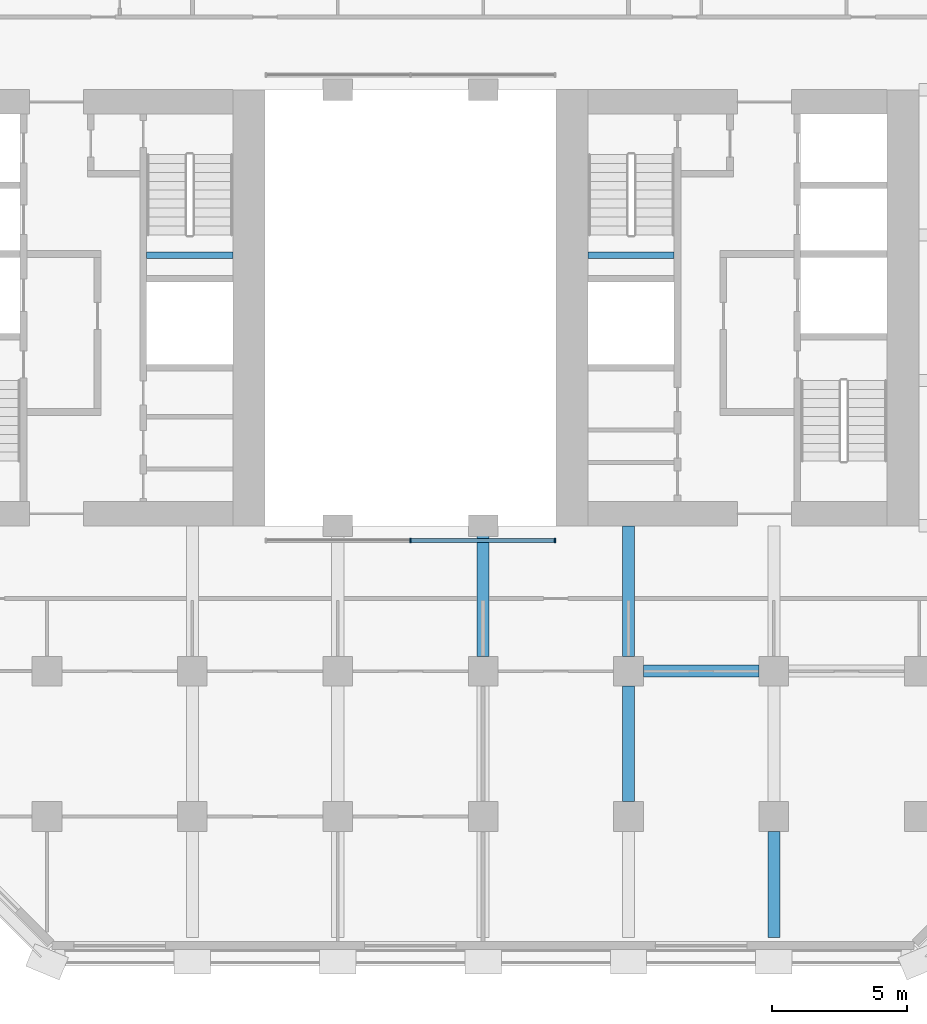
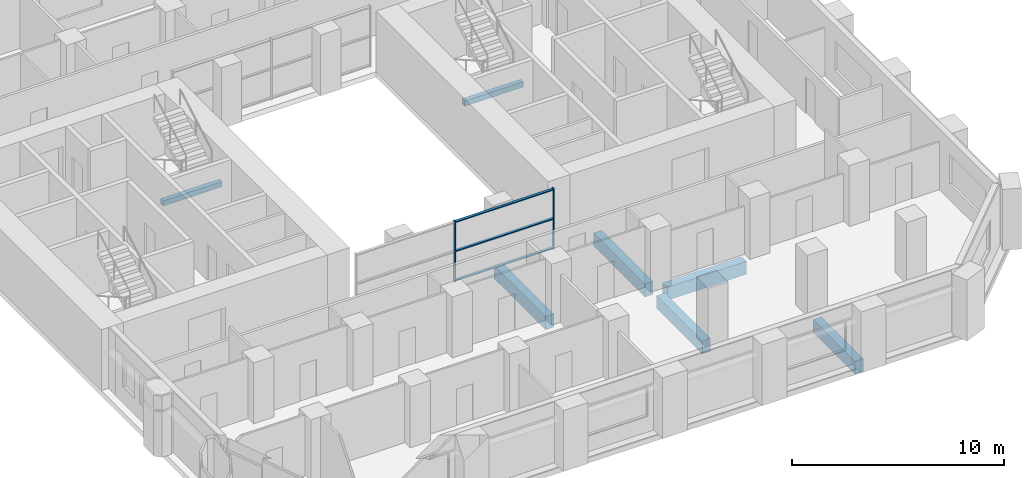
# One storey, part 4 of 13: 7 beams, 5 members, 1 element without a shape of its own.
"""IFC4 building model written with IfcOpenShell, lengths in metres."""

from ifc_helpers import new_model, si_unit, direction, frame, origin, origin_2d, place, context, subcontext, project, spatial, rectangle, extrude, material, material_profile, profile_set, type_object, element, aggregate, save


model = new_model("IFC4")

# Units and contexts
model_context = context("Model", 3, precision=1e-05, world=origin(), true_north=direction((0.0, 1.0)))
body_context = subcontext(model_context, "Body", "Model", "MODEL_VIEW")
ifc_project = project(units=[si_unit("LENGTHUNIT", "METRE"), si_unit("AREAUNIT", "SQUARE_METRE"), si_unit("VOLUMEUNIT", "CUBIC_METRE"), si_unit("PLANEANGLEUNIT", "RADIAN"), si_unit("MASSUNIT", "GRAM", prefix="KILO")], contexts=[model_context])

# Site, building, storey
site_placement = place(None, origin())
site = spatial("IfcSite", under=ifc_project, at=site_placement, CompositionType="ELEMENT")
building_placement = place(site_placement, origin())
building = spatial("IfcBuilding", under=site, at=building_placement, Name="Tabaq Tower and Sports Hall", CompositionType="ELEMENT")
storey_placement = place(building_placement, frame((0.0, 0.0, 48.800048828125)))
storey = spatial("IfcBuildingStorey", under=building, at=storey_placement, Name="L10", CompositionType="ELEMENT", Elevation=48.800048828125)

# Curtain wall, members
ifc_material_1 = material(Name="Aluminium alloy 6063-T6 framed glazing", Category="aluminium")
curtain_wall_type = type_object("IfcCurtainWallType", Name="CW1 curtain wall", PredefinedType="USERDEFINED", material=ifc_material_1)
curtain_wall_placement = place(storey_placement, origin())
curtain_wall = element("IfcCurtainWall", 1, at=curtain_wall_placement, inside=storey, type_object=curtain_wall_type, Name="Atrium glazing L10 S", ObjectType="ATRIUM ENCLOSURE", PredefinedType="USERDEFINED")
ifc_material_2 = material(Name="Aluminium alloy 6063-T6", Category="aluminium")
ifc_material_profile_1 = material_profile(ifc_material_2, rectangle(XDim=0.159912109375, YDim=0.06005859375, at=origin_2d()), Name="MULLION 160x60")
ifc_profile_set_1 = profile_set([ifc_material_profile_1], Name="Aluminium alloy 6063-T6")
member_type_1 = type_object("IfcMemberType", Name="CW1 mullion 160x60", PredefinedType="MULLION", material=ifc_profile_set_1)
member_1_placement = place(storey_placement, frame((24.300048828125, 15.64990234375, 0.0), z_axis=(0.0, 0.0, 1.0), x_axis=(0.0, 1.0, 0.0)))
member_1 = element("IfcMember", 2, at=member_1_placement, type_object=member_type_1, Name="CW1 mullion 2", PredefinedType="MULLION", context=body_context, shape_type="SweptSolid", body=[
    extrude(rectangle(XDim=0.159912109375, YDim=0.06005859375, at=origin_2d()), origin(), (0.0, 0.0, 1.0), 3.5),
])
member_2_placement = place(storey_placement, frame((29.669921875, 15.64990234375, 0.0), z_axis=(0.0, 0.0, 1.0), x_axis=(0.0, 1.0, 0.0)))
member_2 = element("IfcMember", 3, at=member_2_placement, type_object=member_type_1, Name="CW1 mullion 3", PredefinedType="MULLION", context=body_context, shape_type="SweptSolid", body=[
    extrude(rectangle(XDim=0.159912109375, YDim=0.06005859375, at=origin_2d()), origin(), (0.0, 0.0, 1.0), 3.5),
])
ifc_material_3 = material(Name="Aluminium alloy 6063-T6", Category="aluminium")
ifc_material_profile_2 = material_profile(ifc_material_3, rectangle(XDim=0.139892578125, YDim=0.06005859375, at=origin_2d()), Name="TRANSOM 140x60")
ifc_profile_set_2 = profile_set([ifc_material_profile_2], Name="Aluminium alloy 6063-T6")
member_type_2 = type_object("IfcMemberType", Name="CW1 transom 140x60", PredefinedType="USERDEFINED", material=ifc_profile_set_2)
member_3_placement = place(storey_placement, frame((24.330078125, 15.64990234375, 0.070068359375), z_axis=(1.0, 0.0, 0.0), x_axis=(0.0, 1.0, 0.0)))
member_3 = element("IfcMember", 4, at=member_3_placement, type_object=member_type_2, Name="CW1 transom 2.1", ObjectType="TRANSOM", PredefinedType="USERDEFINED", context=body_context, shape_type="SweptSolid", body=[
    extrude(rectangle(XDim=0.139892578125, YDim=0.06005859375, at=origin_2d()), origin(), (0.0, 0.0, 1.0), 5.309814453125),
])
member_4_placement = place(storey_placement, frame((24.330078125, 15.64990234375, 1.75), z_axis=(1.0, 0.0, 0.0), x_axis=(0.0, 1.0, 0.0)))
member_4 = element("IfcMember", 5, at=member_4_placement, type_object=member_type_2, Name="CW1 transom 2.2", ObjectType="TRANSOM", PredefinedType="USERDEFINED", context=body_context, shape_type="SweptSolid", body=[
    extrude(rectangle(XDim=0.139892578125, YDim=0.06005859375, at=origin_2d()), origin(), (0.0, 0.0, 1.0), 5.309814453125),
])
member_5_placement = place(storey_placement, frame((24.330078125, 15.64990234375, 3.429931640625), z_axis=(1.0, 0.0, 0.0), x_axis=(0.0, 1.0, 0.0)))
member_5 = element("IfcMember", 6, at=member_5_placement, type_object=member_type_2, Name="CW1 transom 2.3", ObjectType="TRANSOM", PredefinedType="USERDEFINED", context=body_context, shape_type="SweptSolid", body=[
    extrude(rectangle(XDim=0.139892578125, YDim=0.06005859375, at=origin_2d()), origin(), (0.0, 0.0, 1.0), 5.309814453125),
])
aggregate(curtain_wall, [member_1, member_2, member_3, member_4, member_5])

# Beams
ifc_material_4 = material(Name="Concrete C40/50", Category="concrete")
ifc_material_profile_3 = material_profile(ifc_material_4, rectangle(XDim=0.449951171875, YDim=0.75, at=origin_2d()), Name="CB 450x750")
ifc_profile_set_3 = profile_set([ifc_material_profile_3], Name="Concrete C40/50")
beam_type_1 = type_object("IfcBeamType", Name="PT CANTILEVER BEAM CB 450x750 C40/50", PredefinedType="BEAM", material=ifc_profile_set_3)
beam_1_placement = place(storey_placement, frame((37.25, 10.800048828125, -0.675048828125), z_axis=(-1.0, 0.0, 0.0), x_axis=(0.0, -1.0, 0.0)))
element("IfcBeam", 7, at=beam_1_placement, inside=storey, type_object=beam_type_1, Name="Cantilever Beam L10 E2 span 3", PredefinedType="BEAM", context=body_context, shape_type="SweptSolid", body=[
    extrude(rectangle(XDim=0.449951171875, YDim=0.75, at=origin_2d()), origin(), (0.0, 0.0, 1.0), 4.300048828125),
])
beam_2_placement = place(storey_placement, frame((27.0, 11.35009765625, -0.675048828125), z_axis=(0.0, 1.0, 0.0), x_axis=(-1.0, 0.0, 0.0)))
element("IfcBeam", 8, at=beam_2_placement, inside=storey, type_object=beam_type_1, Name="Cantilever Beam L10 S5 span 3", PredefinedType="BEAM", context=body_context, shape_type="SweptSolid", body=[
    extrude(rectangle(XDim=0.449951171875, YDim=0.75, at=origin_2d()), origin(), (0.0, 0.0, 1.0), 4.849853515625),
])
beam_3_placement = place(storey_placement, frame((32.39990234375, 5.949951171875, -0.675048828125), z_axis=(0.0, 1.0, 0.0), x_axis=(-1.0, 0.0, 0.0)))
element("IfcBeam", 9, at=beam_3_placement, inside=storey, type_object=beam_type_1, Name="Cantilever Beam L10 S6 span 2", PredefinedType="BEAM", context=body_context, shape_type="SweptSolid", body=[
    extrude(rectangle(XDim=0.449951171875, YDim=0.75, at=origin_2d()), origin(), (0.0, 0.0, 1.0), 4.300048828125),
])
beam_4_placement = place(storey_placement, frame((32.39990234375, 11.35009765625, -0.675048828125), z_axis=(0.0, 1.0, 0.0), x_axis=(-1.0, 0.0, 0.0)))
element("IfcBeam", 10, at=beam_4_placement, inside=storey, type_object=beam_type_1, Name="Cantilever Beam L10 S6 span 3", PredefinedType="BEAM", context=body_context, shape_type="SweptSolid", body=[
    extrude(rectangle(XDim=0.449951171875, YDim=0.75, at=origin_2d()), origin(), (0.0, 0.0, 1.0), 4.849853515625),
])
beam_5_placement = place(storey_placement, frame((37.800048828125, 0.89990234375, -0.675048828125), z_axis=(0.0, 1.0, 0.0), x_axis=(-1.0, 0.0, 0.0)))
element("IfcBeam", 11, at=beam_5_placement, inside=storey, type_object=beam_type_1, Name="Cantilever Beam L10 S7 span 1", PredefinedType="BEAM", context=body_context, shape_type="SweptSolid", body=[
    extrude(rectangle(XDim=0.449951171875, YDim=0.75, at=origin_2d()), origin(), (0.0, 0.0, 1.0), 3.9501953125),
])
ifc_material_5 = material(Name="Concrete C40/50", Category="concrete")
ifc_material_profile_4 = material_profile(ifc_material_5, rectangle(XDim=0.25, YDim=0.300048828125, at=origin_2d()), Name="RC 250x300")
ifc_profile_set_4 = profile_set([ifc_material_profile_4], Name="Concrete C40/50")
beam_type_2 = type_object("IfcBeamType", Name="Stair landing beam 250x300", PredefinedType="BEAM", material=ifc_profile_set_4)
beam_6_placement = place(storey_placement, frame((14.5, 26.25, 1.550048828125), z_axis=(1.0, 0.0, 0.0), x_axis=(0.0, 1.0, 0.0)))
element("IfcBeam", 12, at=beam_6_placement, inside=storey, type_object=beam_type_2, Name="L10 ST2 landing beam 1", PredefinedType="BEAM", context=body_context, shape_type="SweptSolid", body=[
    extrude(rectangle(XDim=0.25, YDim=0.300048828125, at=origin_2d()), origin(), (0.0, 0.0, 1.0), 3.199951171875),
])
beam_7_placement = place(storey_placement, frame((30.89990234375, 26.25, 1.550048828125), z_axis=(1.0, 0.0, 0.0), x_axis=(0.0, 1.0, 0.0)))
element("IfcBeam", 13, at=beam_7_placement, inside=storey, type_object=beam_type_2, Name="L10 ST4 landing beam 1", PredefinedType="BEAM", context=body_context, shape_type="SweptSolid", body=[
    extrude(rectangle(XDim=0.25, YDim=0.300048828125, at=origin_2d()), origin(), (0.0, 0.0, 1.0), 3.2001953125),
])

save(model, "model.ifc")
